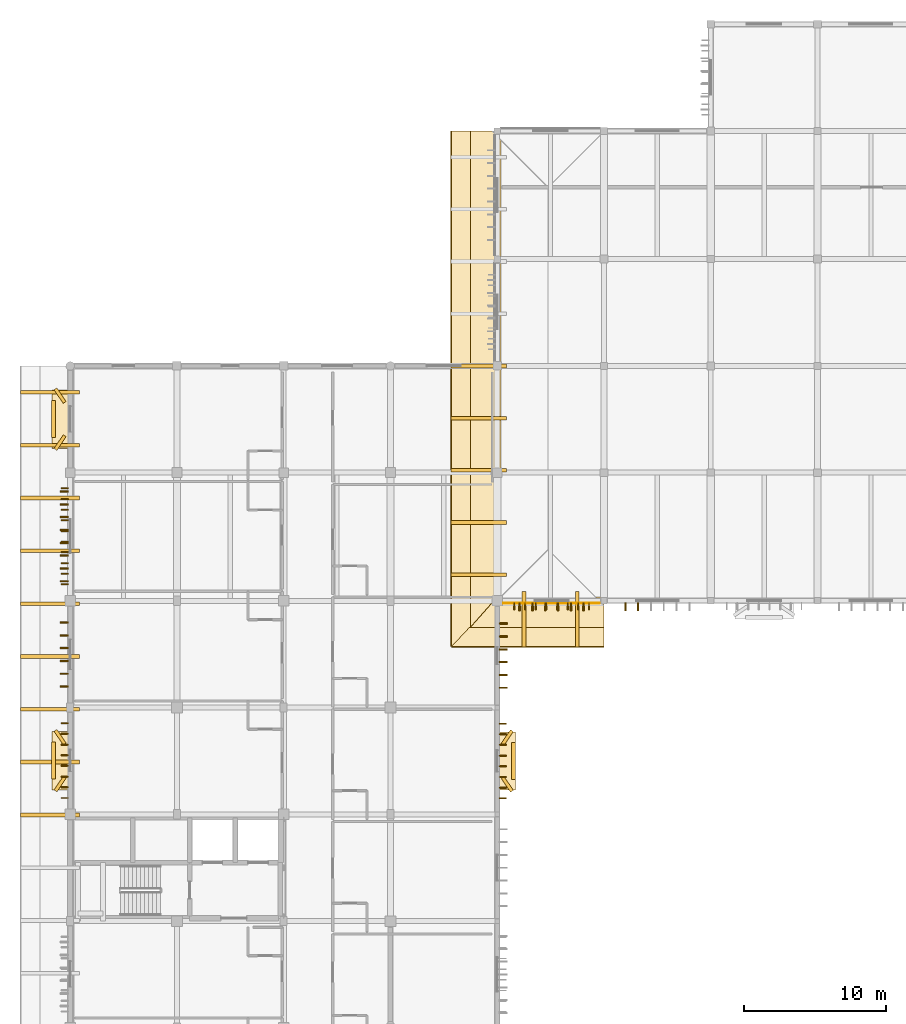
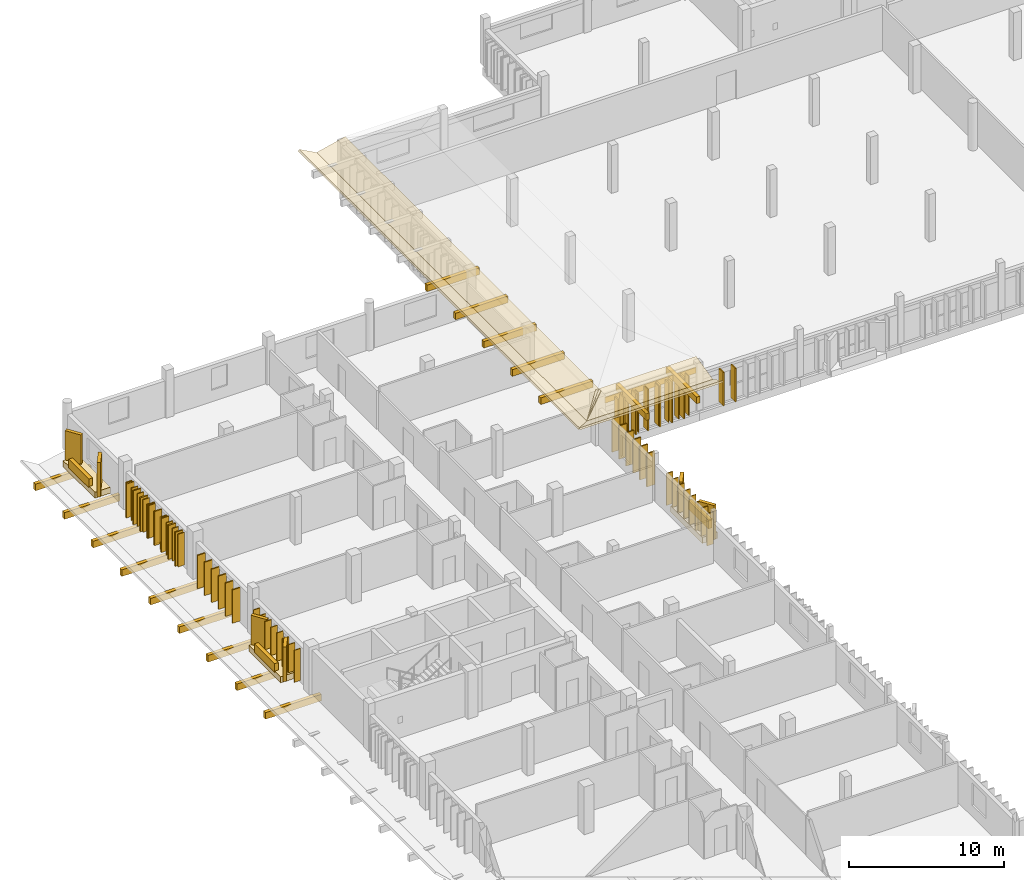
# One storey, part 35 of 43: 61 coverings, 34 shading devices.
"""IFC4 building model written with IfcOpenShell, lengths in metres."""

from ifc_helpers import new_model, si_unit, direction, frame, origin, origin_2d, place, context, subcontext, project, spatial, polyline, rectangle, outline, extrude, material, layer, layer_set, type_object, element, save


model = new_model("IFC4")

# Units and contexts
model_context = context("Model", 3, precision=1e-05, world=origin(), true_north=direction((0.0, 1.0)))
body_context = subcontext(model_context, "Body", "Model", "MODEL_VIEW")
ifc_project = project(units=[si_unit("LENGTHUNIT", "METRE"), si_unit("AREAUNIT", "SQUARE_METRE"), si_unit("VOLUMEUNIT", "CUBIC_METRE"), si_unit("PLANEANGLEUNIT", "RADIAN"), si_unit("MASSUNIT", "GRAM", prefix="KILO")], contexts=[model_context])

# Site, building, storey
site_placement = place(None, origin())
site = spatial("IfcSite", under=ifc_project, at=site_placement, CompositionType="ELEMENT")
building_placement = place(site_placement, origin())
building = spatial("IfcBuilding", under=site, at=building_placement, Name="Dalvernix Boulevard General Hospital", CompositionType="ELEMENT")
storey_placement = place(building_placement, frame((0.0, 0.0, 14.10009765625)))
storey = spatial("IfcBuildingStorey", under=building, at=storey_placement, Name="L03", CompositionType="ELEMENT", Elevation=14.10009765625)

# Coverings
ifc_material_1 = material(Name="Polychrome glazed Catalan trencadis ceramic faceted bay spandrel")
ifc_layer_1 = layer(ifc_material_1, 0.280029296875)
ifc_layer_set_1 = layer_set([ifc_layer_1], Name="Polychrome glazed Catalan trencadis ceramic faceted bay spandrel (COV-BAY-01)")
covering_type_1 = type_object("IfcCoveringType", Name="COV-BAY-01", PredefinedType="CLADDING", material=ifc_layer_set_1)
covering_1_placement = place(storey_placement, frame((-1.159912109375, 65.27490234375, 0.3798828125), z_axis=(0.0, 0.0, 1.0), x_axis=(0.0, 1.0, 0.0)))
element("IfcCovering", 1, at=covering_1_placement, inside=storey, type_object=covering_type_1, Name="L03 projecting faceted trencadis bay spandrel W 0-8", PredefinedType="CLADDING", context=body_context, shape_type="SweptSolid", body=[
    extrude(rectangle(XDim=2.60009765625, YDim=0.280029296875, at=origin_2d()), origin(), (0.0, 0.0, 1.0), 0.679931640625),
])
for number, where, z_axis, x_axis, name in (
    (2, (-0.7099609375, 63.625, 0.079833984375), (0.0, 0.0, 1.0), (0.559192903471, 0.829037572555, 0.0), "L03 projecting faceted Catalan bay cheek W 0-8-L"),
    (3, (-0.7099609375, 66.925048828125, 0.079833984375), (0.0, 0.0, 1.0), (-0.559192903471, 0.829037572555, 0.0), "L03 projecting faceted Catalan bay cheek W 0-8-R"),
):
    element("IfcCovering", number, at=place(storey_placement, frame(where, z_axis=z_axis, x_axis=x_axis)), inside=storey, type_object=covering_type_1, Name=name, PredefinedType="CLADDING", context=body_context, shape_type="SweptSolid", body=[
        extrude(rectangle(XDim=1.14990234375, YDim=0.239990234375, at=origin_2d()), origin(), (0.0, 0.0, 1.0), 2.7099609375),
    ])
covering_2_placement = place(storey_placement, frame((-1.159912109375, 89.262451171875, 0.3798828125), z_axis=(0.0, 0.0, 1.0), x_axis=(0.0, 1.0, 0.0)))
element("IfcCovering", 4, at=covering_2_placement, inside=storey, type_object=covering_type_1, Name="L03 projecting faceted trencadis bay spandrel W 0-11", PredefinedType="CLADDING", context=body_context, shape_type="SweptSolid", body=[
    extrude(rectangle(XDim=2.60009765625, YDim=0.280029296875, at=origin_2d()), origin(), (0.0, 0.0, 1.0), 0.679931640625),
])
for number, where, z_axis, x_axis, name in (
    (5, (-0.7099609375, 87.612548828125, 0.079833984375), (0.0, 0.0, 1.0), (0.559192903471, 0.829037572555, 0.0), "L03 projecting faceted Catalan bay cheek W 0-11-L"),
    (6, (-0.7099609375, 90.91259765625, 0.079833984375), (0.0, 0.0, 1.0), (-0.559192903471, 0.829037572555, 0.0), "L03 projecting faceted Catalan bay cheek W 0-11-R"),
):
    element("IfcCovering", number, at=place(storey_placement, frame(where, z_axis=z_axis, x_axis=x_axis)), inside=storey, type_object=covering_type_1, Name=name, PredefinedType="CLADDING", context=body_context, shape_type="SweptSolid", body=[
        extrude(rectangle(XDim=1.14990234375, YDim=0.239990234375, at=origin_2d()), origin(), (0.0, 0.0, 1.0), 2.7099609375),
    ])
covering_3_placement = place(storey_placement, frame((31.159912109375, 65.25, 0.3798828125), z_axis=(0.0, 0.0, 1.0), x_axis=(0.0, -1.0, 0.0)))
element("IfcCovering", 7, at=covering_3_placement, inside=storey, type_object=covering_type_1, Name="L03 projecting faceted trencadis bay spandrel E 4-8", PredefinedType="CLADDING", context=body_context, shape_type="SweptSolid", body=[
    extrude(rectangle(XDim=2.60009765625, YDim=0.280029296875, at=origin_2d()), origin(), (0.0, 0.0, 1.0), 0.679931640625),
])
for number, where, z_axis, x_axis, name in (
    (8, (30.7099609375, 66.89990234375, 0.079833984375), (0.0, 0.0, 1.0), (-0.559192903471, -0.829037572555, 0.0), "L03 projecting faceted Catalan bay cheek E 4-8-L"),
    (9, (30.7099609375, 63.60009765625, 0.079833984375), (0.0, 0.0, 1.0), (0.559192903471, -0.829037572555, 0.0), "L03 projecting faceted Catalan bay cheek E 4-8-R"),
):
    element("IfcCovering", number, at=place(storey_placement, frame(where, z_axis=z_axis, x_axis=x_axis)), inside=storey, type_object=covering_type_1, Name=name, PredefinedType="CLADDING", context=body_context, shape_type="SweptSolid", body=[
        extrude(rectangle(XDim=1.14990234375, YDim=0.239990234375, at=origin_2d()), origin(), (0.0, 0.0, 1.0), 2.7099609375),
    ])
ifc_material_2 = material(Name="Polychrome Catalan glazed ceramic spandrel tile panel")
ifc_layer_2 = layer(ifc_material_2, 0.044921875)
ifc_layer_set_2 = layer_set([ifc_layer_2], Name="Polychrome Catalan glazed ceramic spandrel tile panel (COV-CLD-01)")
covering_type_2 = type_object("IfcCoveringType", Name="COV-CLD-01", PredefinedType="CLADDING", material=ifc_layer_set_2)
covering_4_placement = place(storey_placement, frame((33.824951171875, 76.330078125, 2.9951171875), z_axis=(0.0, 0.0, 1.0), x_axis=(-1.0, 0.0, 0.0)))
element("IfcCovering", 10, at=covering_4_placement, inside=storey, type_object=covering_type_2, Name="L03 polychrome ceramic spandrel S 4-10", PredefinedType="CLADDING", context=body_context, shape_type="SweptSolid", body=[
    extrude(rectangle(XDim=6.780029296875, YDim=0.044921875, at=origin_2d()), origin(), (0.0, 0.0, 1.0), 0.449951171875),
])
ifc_material_3 = material(Name="Dressed ochre limestone classical plinth, stringcourse and corbelled cornice", Category="masonry")
ifc_layer_3 = layer(ifc_material_3, 0.449951171875)
ifc_layer_set_3 = layer_set([ifc_layer_3], Name="Dressed ochre limestone classical plinth, stringcourse and corbelled cornice (COV-CRN-01)")
covering_type_3 = type_object("IfcCoveringType", Name="COV-CRN-01", PredefinedType="CLADDING", material=ifc_layer_set_3)
for number, where, z_axis, x_axis, name in (
    (11, (-0.705078125, 65.27490234375, 0.0), (0.0, 0.0, 1.0), (0.0, 1.0, 0.0), "L03 projecting Catalan bay corbel base W 0-8"),
    (12, (-0.705078125, 89.262451171875, 0.0), (0.0, 0.0, 1.0), (0.0, 1.0, 0.0), "L03 projecting Catalan bay corbel base W 0-11"),
    (13, (30.705078125, 65.25, 0.0), (0.0, 0.0, 1.0), (0.0, -1.0, 0.0), "L03 projecting Catalan bay corbel base E 4-8"),
):
    element("IfcCovering", number, at=place(storey_placement, frame(where, z_axis=z_axis, x_axis=x_axis)), inside=storey, type_object=covering_type_3, Name=name, PredefinedType="CLADDING", context=body_context, shape_type="SweptSolid", body=[
        extrude(rectangle(XDim=4.10009765625, YDim=1.14990234375, at=origin_2d()), origin(), (0.0, 0.0, 1.0), 0.47998046875),
    ])
ifc_material_4 = material(Name="Glazed Catalan terracotta and iroko timber overhanging upturned eave", Category="masonry")
ifc_layer_4 = layer(ifc_material_4, 0.139892578125)
ifc_layer_set_4 = layer_set([ifc_layer_4], Name="Glazed Catalan terracotta and iroko timber overhanging upturned eave (COV-EAVE-01)")
covering_type_4 = type_object("IfcCoveringType", Name="COV-EAVE-01", PredefinedType="CLADDING", material=ifc_layer_set_4)
covering_5_placement = place(storey_placement, frame((30.25, 109.5, 3.955810546875), z_axis=(-0.230038471981, 0.0, 0.97318153569), x_axis=(0.0, -1.0, 0.0)))
element("IfcCovering", 14, at=covering_5_placement, inside=storey, type_object=covering_type_4, Name="V3-L03W overhanging ceramic eave skirt W", PredefinedType="CLADDING", context=body_context, shape_type="SweptSolid", body=[
    extrude(outline(polyline([(0.0, 0.0), (33.0, 0.0), (34.949951171875, -2.260576358258145), (0.0, -2.260576358258145), (0.0, 0.0)])), origin(), (0.0, 0.0, -1.0), 0.139892578125),
])
covering_6_placement = place(storey_placement, frame((28.1298828125, 109.5, 3.435791015625), z_axis=(0.476225941914, 0.0, 0.879322951053), x_axis=(0.0, -1.0, 0.0)))
element("IfcCovering", 15, at=covering_6_placement, inside=storey, type_object=covering_type_4, Name="V3-L03W upturned ceramic eave wing W", PredefinedType="CLADDING", context=body_context, shape_type="SweptSolid", body=[
    extrude(outline(polyline([(0.0, 0.0), (34.949951171875, 0.0), (36.199951171875, -1.5123385358961547), (0.0, -1.5123385358961547), (0.0, 0.0)])), origin(), (0.0, 0.0, -1.0), 0.139892578125),
])
covering_7_placement = place(storey_placement, frame((30.0, 76.75, 3.955810546875), z_axis=(0.0, -0.230038471981, 0.97318153569), x_axis=(1.0, 0.0, 0.0)))
element("IfcCovering", 16, at=covering_7_placement, inside=storey, type_object=covering_type_4, Name="V3-L03W overhanging ceramic eave skirt S", PredefinedType="CLADDING", context=body_context, shape_type="SweptSolid", body=[
    extrude(outline(polyline([(0.0, 0.0), (7.5, 0.0), (7.5, -2.2605763582581444), (-1.949951171875, -2.2605763582581444), (0.0, 0.0)])), origin(), (0.0, 0.0, -1.0), 0.139892578125),
])
covering_8_placement = place(storey_placement, frame((28.050048828125, 74.6298828125, 3.435791015625), z_axis=(0.0, 0.476225941914, 0.879322951053), x_axis=(1.0, 0.0, 0.0)))
element("IfcCovering", 17, at=covering_8_placement, inside=storey, type_object=covering_type_4, Name="V3-L03W upturned ceramic eave wing S", PredefinedType="CLADDING", context=body_context, shape_type="SweptSolid", body=[
    extrude(outline(polyline([(0.0, 0.0), (9.449951171875, 0.0), (9.449951171875, -1.5123385358961545), (-1.25, -1.5123385358961545), (0.0, 0.0)])), origin(), (0.0, 0.0, -1.0), 0.139892578125),
])
ifc_material_5 = material(Name="Terracotta-clad iroko timber brise-soleil sun-breaker fin", Category="masonry")
ifc_layer_5 = layer(ifc_material_5, 0.10009765625)
ifc_layer_set_5 = layer_set([ifc_layer_5], Name="Terracotta-clad iroko timber brise-soleil sun-breaker fin (COV-FIN-02)")
covering_type_5 = type_object("IfcCoveringType", Name="COV-FIN-02", PredefinedType="CLADDING", material=ifc_layer_set_5)
for number, where, z_axis, x_axis, name in (
    (18, (-0.419921875, 70.47509765625, 0.119873046875), (0.0, 0.0, 1.0), (0.0, 1.0, 0.0), "L03 terracotta brise-soleil fin W 0-9-1"),
    (19, (-0.419921875, 71.375, 0.119873046875), (0.0, 0.0, 1.0), (0.0, 1.0, 0.0), "L03 terracotta brise-soleil fin W 0-9-2"),
    (20, (-0.419921875, 72.27490234375, 0.119873046875), (0.0, 0.0, 1.0), (0.0, 1.0, 0.0), "L03 terracotta brise-soleil fin W 0-9-3"),
    (21, (-0.419921875, 73.175048828125, 0.119873046875), (0.0, 0.0, 1.0), (0.0, 1.0, 0.0), "L03 terracotta brise-soleil fin W 0-9-4"),
    (22, (-0.419921875, 74.074951171875, 0.119873046875), (0.0, 0.0, 1.0), (0.0, 1.0, 0.0), "L03 terracotta brise-soleil fin W 0-9-5"),
    (23, (-0.419921875, 74.97509765625, 0.119873046875), (0.0, 0.0, 1.0), (0.0, 1.0, 0.0), "L03 terracotta brise-soleil fin W 0-9-6"),
):
    element("IfcCovering", number, at=place(storey_placement, frame(where, z_axis=z_axis, x_axis=x_axis)), inside=storey, type_object=covering_type_5, Name=name, PredefinedType="CLADDING", context=body_context, shape_type="SweptSolid", body=[
        extrude(rectangle(XDim=0.10009765625, YDim=0.580078125, at=origin_2d()), origin(), (0.0, 0.0, 1.0), 2.6298828125),
    ])
for number, where, z_axis, x_axis, name in (
    (24, (-0.419921875, 77.875, 0.1201171875), (0.0, 0.0, 1.0), (0.0, 1.0, 0.0), "L03 terracotta brise-soleil fin W 0-10-1"),
    (25, (-0.419921875, 78.77490234375, 0.1201171875), (0.0, 0.0, 1.0), (0.0, 1.0, 0.0), "L03 terracotta brise-soleil fin W 0-10-2"),
    (26, (-0.419921875, 79.675048828125, 0.1201171875), (0.0, 0.0, 1.0), (0.0, 1.0, 0.0), "L03 terracotta brise-soleil fin W 0-10-3"),
    (27, (-0.419921875, 80.574951171875, 0.1201171875), (0.0, 0.0, 1.0), (0.0, 1.0, 0.0), "L03 terracotta brise-soleil fin W 0-10-4"),
    (28, (-0.419921875, 81.47509765625, 0.1201171875), (0.0, 0.0, 1.0), (0.0, 1.0, 0.0), "L03 terracotta brise-soleil fin W 0-10-5"),
    (29, (-0.419921875, 82.375, 0.1201171875), (0.0, 0.0, 1.0), (0.0, 1.0, 0.0), "L03 terracotta brise-soleil fin W 0-10-6"),
    (30, (-0.419921875, 83.27490234375, 0.1201171875), (0.0, 0.0, 1.0), (0.0, 1.0, 0.0), "L03 terracotta brise-soleil fin W 0-10-7"),
    (31, (-0.419921875, 84.175048828125, 0.1201171875), (0.0, 0.0, 1.0), (0.0, 1.0, 0.0), "L03 terracotta brise-soleil fin W 0-10-8"),
):
    element("IfcCovering", number, at=place(storey_placement, frame(where, z_axis=z_axis, x_axis=x_axis)), inside=storey, type_object=covering_type_5, Name=name, PredefinedType="CLADDING", context=body_context, shape_type="SweptSolid", body=[
        extrude(rectangle(XDim=0.10009765625, YDim=0.580078125, at=origin_2d()), origin(), (0.0, 0.0, 1.0), 2.679931640625),
    ])
for number, where, z_axis, x_axis, name in (
    (32, (30.419921875, 74.892578125, 0.119873046875), (0.0, 0.0, 1.0), (0.0, -1.0, 0.0), "L03 terracotta brise-soleil fin E 4-9-1"),
    (33, (30.419921875, 73.992431640625, 0.119873046875), (0.0, 0.0, 1.0), (0.0, -1.0, 0.0), "L03 terracotta brise-soleil fin E 4-9-2"),
    (34, (30.419921875, 73.092529296875, 0.119873046875), (0.0, 0.0, 1.0), (0.0, -1.0, 0.0), "L03 terracotta brise-soleil fin E 4-9-3"),
    (35, (30.419921875, 72.1923828125, 0.119873046875), (0.0, 0.0, 1.0), (0.0, -1.0, 0.0), "L03 terracotta brise-soleil fin E 4-9-4"),
    (36, (30.419921875, 71.29248046875, 0.119873046875), (0.0, 0.0, 1.0), (0.0, -1.0, 0.0), "L03 terracotta brise-soleil fin E 4-9-5"),
    (37, (30.419921875, 70.392578125, 0.119873046875), (0.0, 0.0, 1.0), (0.0, -1.0, 0.0), "L03 terracotta brise-soleil fin E 4-9-6"),
):
    element("IfcCovering", number, at=place(storey_placement, frame(where, z_axis=z_axis, x_axis=x_axis)), inside=storey, type_object=covering_type_5, Name=name, PredefinedType="CLADDING", context=body_context, shape_type="SweptSolid", body=[
        extrude(rectangle(XDim=0.10009765625, YDim=0.580078125, at=origin_2d()), origin(), (0.0, 0.0, 1.0), 2.6298828125),
    ])
for number, where, z_axis, x_axis, name in (
    (38, (36.074951171875, 76.080078125, 0.119873046875), (0.0, 0.0, 1.0), (-1.0, 0.0, 0.0), "L03 terracotta brise-soleil fin S 4-10-1"),
    (39, (35.175048828125, 76.080078125, 0.119873046875), (0.0, 0.0, 1.0), (-1.0, 0.0, 0.0), "L03 terracotta brise-soleil fin S 4-10-2"),
    (40, (34.27490234375, 76.080078125, 0.119873046875), (0.0, 0.0, 1.0), (-1.0, 0.0, 0.0), "L03 terracotta brise-soleil fin S 4-10-3"),
    (41, (33.375, 76.080078125, 0.119873046875), (0.0, 0.0, 1.0), (-1.0, 0.0, 0.0), "L03 terracotta brise-soleil fin S 4-10-4"),
    (42, (32.47509765625, 76.080078125, 0.119873046875), (0.0, 0.0, 1.0), (-1.0, 0.0, 0.0), "L03 terracotta brise-soleil fin S 4-10-5"),
    (43, (31.574951171875, 76.080078125, 0.119873046875), (0.0, 0.0, 1.0), (-1.0, 0.0, 0.0), "L03 terracotta brise-soleil fin S 4-10-6"),
):
    element("IfcCovering", number, at=place(storey_placement, frame(where, z_axis=z_axis, x_axis=x_axis)), inside=storey, type_object=covering_type_5, Name=name, PredefinedType="CLADDING", context=body_context, shape_type="SweptSolid", body=[
        extrude(rectangle(XDim=0.10009765625, YDim=0.580078125, at=origin_2d()), origin(), (0.0, 0.0, 1.0), 3.22998046875),
    ])
for number, where, z_axis, x_axis, name in (
    (44, (39.89990234375, 76.080078125, 0.119873046875), (0.0, 0.0, 1.0), (-1.0, 0.0, 0.0), "L03 terracotta brise-soleil fin S 5-10-5"),
    (45, (39.0, 76.080078125, 0.119873046875), (0.0, 0.0, 1.0), (-1.0, 0.0, 0.0), "L03 terracotta brise-soleil fin S 5-10-6"),
):
    element("IfcCovering", number, at=place(storey_placement, frame(where, z_axis=z_axis, x_axis=x_axis)), inside=storey, type_object=covering_type_5, Name=name, PredefinedType="CLADDING", context=body_context, shape_type="SweptSolid", body=[
        extrude(rectangle(XDim=0.10009765625, YDim=0.580078125, at=origin_2d()), origin(), (0.0, 0.0, 1.0), 2.6298828125),
    ])
ifc_material_6 = material(Name="Preservative-treated glulam GL28h eave outlooker corbel bracket", Category="wood")
ifc_layer_6 = layer(ifc_material_6, 0.239990234375)
ifc_layer_set_6 = layer_set([ifc_layer_6], Name="Preservative-treated glulam GL28h eave outlooker corbel bracket (COV-OUTLOOK-01)")
covering_type_6 = type_object("IfcCoveringType", Name="COV-OUTLOOK-01", PredefinedType="CLADDING", material=ifc_layer_set_6)
for number, where, z_axis, x_axis, name in (
    (46, (28.699951171875, 78.333251953125, 3.035888671875), (0.0, 0.0, 1.0), (1.0, 0.0, 0.0), "V3-L03W glulam eave outlooker corbel W-1"),
    (47, (28.699951171875, 82.0, 3.035888671875), (0.0, 0.0, 1.0), (1.0, 0.0, 0.0), "V3-L03W glulam eave outlooker corbel W-2"),
    (48, (28.699951171875, 85.666748046875, 3.035888671875), (0.0, 0.0, 1.0), (1.0, 0.0, 0.0), "V3-L03W glulam eave outlooker corbel W-3"),
    (49, (28.699951171875, 89.333251953125, 3.035888671875), (0.0, 0.0, 1.0), (1.0, 0.0, 0.0), "V3-L03W glulam eave outlooker corbel W-4"),
    (50, (28.699951171875, 93.0, 3.035888671875), (0.0, 0.0, 1.0), (1.0, 0.0, 0.0), "V3-L03W glulam eave outlooker corbel W-5"),
):
    element("IfcCovering", number, at=place(storey_placement, frame(where, z_axis=z_axis, x_axis=x_axis)), inside=storey, type_object=covering_type_6, Name=name, PredefinedType="CLADDING", context=body_context, shape_type="SweptSolid", body=[
        extrude(rectangle(XDim=3.89990234375, YDim=0.260009765625, at=origin_2d()), origin(), (0.0, 0.0, 1.0), 0.52001953125),
    ])
for number, where, z_axis, x_axis, name in (
    (51, (31.875, 75.199951171875, 3.035888671875), (0.0, 0.0, 1.0), (1.0, 0.0, 0.0), "V3-L03W glulam eave outlooker corbel S-1"),
    (52, (35.625, 75.199951171875, 3.035888671875), (0.0, 0.0, 1.0), (1.0, 0.0, 0.0), "V3-L03W glulam eave outlooker corbel S-2"),
):
    element("IfcCovering", number, at=place(storey_placement, frame(where, z_axis=z_axis, x_axis=x_axis)), inside=storey, type_object=covering_type_6, Name=name, PredefinedType="CLADDING", context=body_context, shape_type="SweptSolid", body=[
        extrude(rectangle(XDim=0.260009765625, YDim=3.89990234375, at=origin_2d()), origin(), (0.0, 0.0, 1.0), 0.52001953125),
    ])
for number, where, z_axis, x_axis, name in (
    (53, (-1.425048828125, 61.46044921875, -0.940185546875), (0.0, 0.0, 1.0), (1.0, 0.0, 0.0), "TIER-V4-WEST glulam eave outlooker corbel W-11"),
    (54, (-1.425048828125, 65.171142578125, -0.940185546875), (0.0, 0.0, 1.0), (1.0, 0.0, 0.0), "TIER-V4-WEST glulam eave outlooker corbel W-12"),
    (55, (-1.425048828125, 68.881591796875, -0.940185546875), (0.0, 0.0, 1.0), (1.0, 0.0, 0.0), "TIER-V4-WEST glulam eave outlooker corbel W-13"),
    (56, (-1.425048828125, 72.592041015625, -0.940185546875), (0.0, 0.0, 1.0), (1.0, 0.0, 0.0), "TIER-V4-WEST glulam eave outlooker corbel W-14"),
    (57, (-1.425048828125, 76.302490234375, -0.940185546875), (0.0, 0.0, 1.0), (1.0, 0.0, 0.0), "TIER-V4-WEST glulam eave outlooker corbel W-15"),
    (58, (-1.425048828125, 80.01318359375, -0.940185546875), (0.0, 0.0, 1.0), (1.0, 0.0, 0.0), "TIER-V4-WEST glulam eave outlooker corbel W-16"),
    (59, (-1.425048828125, 83.7236328125, -0.940185546875), (0.0, 0.0, 1.0), (1.0, 0.0, 0.0), "TIER-V4-WEST glulam eave outlooker corbel W-17"),
    (60, (-1.425048828125, 87.43408203125, -0.940185546875), (0.0, 0.0, 1.0), (1.0, 0.0, 0.0), "TIER-V4-WEST glulam eave outlooker corbel W-18"),
    (61, (-1.425048828125, 91.144775390625, -0.940185546875), (0.0, 0.0, 1.0), (1.0, 0.0, 0.0), "TIER-V4-WEST glulam eave outlooker corbel W-19"),
):
    element("IfcCovering", number, at=place(storey_placement, frame(where, z_axis=z_axis, x_axis=x_axis)), inside=storey, type_object=covering_type_6, Name=name, PredefinedType="CLADDING", context=body_context, shape_type="SweptSolid", body=[
        extrude(rectangle(XDim=4.14990234375, YDim=0.260009765625, at=origin_2d()), origin(), (0.0, 0.0, 1.0), 0.52001953125),
    ])

# Shading devices
ifc_material_7 = material(Name="Preservative-treated West African iroko timber", Category="wood")
shading_device_type = type_object("IfcShadingDeviceType", Name="SHD-FIN-01", PredefinedType="USERDEFINED", material=ifc_material_7)
for number, where, z_axis, x_axis, name in (
    (62, (-0.3798828125, 62.64990234375, 0.1748046875), (0.0, 0.0, 1.0), (0.0, 1.0, 0.0), "L03 iroko brise-soleil fin 1"),
    (63, (-0.3798828125, 63.39990234375, 0.1748046875), (0.0, 0.0, 1.0), (0.0, 1.0, 0.0), "L03 iroko brise-soleil fin 2"),
    (64, (-0.3798828125, 64.14990234375, 0.1748046875), (0.0, 0.0, 1.0), (0.0, 1.0, 0.0), "L03 iroko brise-soleil fin 3"),
    (65, (-0.3798828125, 64.89990234375, 0.1748046875), (0.0, 0.0, 1.0), (0.0, 1.0, 0.0), "L03 iroko brise-soleil fin 4"),
    (66, (-0.3798828125, 65.64990234375, 0.1748046875), (0.0, 0.0, 1.0), (0.0, 1.0, 0.0), "L03 iroko brise-soleil fin 5"),
    (67, (-0.3798828125, 66.39990234375, 0.1748046875), (0.0, 0.0, 1.0), (0.0, 1.0, 0.0), "L03 iroko brise-soleil fin 6"),
    (68, (-0.3798828125, 67.14990234375, 0.1748046875), (0.0, 0.0, 1.0), (0.0, 1.0, 0.0), "L03 iroko brise-soleil fin 7"),
    (69, (-0.3798828125, 67.89990234375, 0.1748046875), (0.0, 0.0, 1.0), (0.0, 1.0, 0.0), "L03 iroko brise-soleil fin 8"),
):
    element("IfcShadingDevice", number, at=place(storey_placement, frame(where, z_axis=z_axis, x_axis=x_axis)), inside=storey, type_object=shading_device_type, Name=name, ObjectType="FIN", PredefinedType="USERDEFINED", context=body_context, shape_type="SweptSolid", body=[
        extrude(rectangle(XDim=0.06494140625, YDim=0.47998046875, at=origin_2d()), origin(), (0.0, 0.0, 1.0), 2.52001953125),
    ])
for number, where, z_axis, x_axis, name in (
    (70, (-0.3798828125, 77.64990234375, 0.1748046875), (0.0, 0.0, 1.0), (0.0, 1.0, 0.0), "L03 iroko brise-soleil fin 1"),
    (71, (-0.3798828125, 78.39990234375, 0.1748046875), (0.0, 0.0, 1.0), (0.0, 1.0, 0.0), "L03 iroko brise-soleil fin 2"),
    (72, (-0.3798828125, 79.14990234375, 0.1748046875), (0.0, 0.0, 1.0), (0.0, 1.0, 0.0), "L03 iroko brise-soleil fin 3"),
    (73, (-0.3798828125, 79.89990234375, 0.1748046875), (0.0, 0.0, 1.0), (0.0, 1.0, 0.0), "L03 iroko brise-soleil fin 4"),
    (74, (-0.3798828125, 80.64990234375, 0.1748046875), (0.0, 0.0, 1.0), (0.0, 1.0, 0.0), "L03 iroko brise-soleil fin 5"),
    (75, (-0.3798828125, 81.39990234375, 0.1748046875), (0.0, 0.0, 1.0), (0.0, 1.0, 0.0), "L03 iroko brise-soleil fin 6"),
    (76, (-0.3798828125, 82.14990234375, 0.1748046875), (0.0, 0.0, 1.0), (0.0, 1.0, 0.0), "L03 iroko brise-soleil fin 7"),
    (77, (-0.3798828125, 82.89990234375, 0.1748046875), (0.0, 0.0, 1.0), (0.0, 1.0, 0.0), "L03 iroko brise-soleil fin 8"),
    (78, (-0.3798828125, 83.64990234375, 0.1748046875), (0.0, 0.0, 1.0), (0.0, 1.0, 0.0), "L03 iroko brise-soleil fin 9"),
    (79, (-0.3798828125, 84.39990234375, 0.1748046875), (0.0, 0.0, 1.0), (0.0, 1.0, 0.0), "L03 iroko brise-soleil fin 10"),
):
    element("IfcShadingDevice", number, at=place(storey_placement, frame(where, z_axis=z_axis, x_axis=x_axis)), inside=storey, type_object=shading_device_type, Name=name, ObjectType="FIN", PredefinedType="USERDEFINED", context=body_context, shape_type="SweptSolid", body=[
        extrude(rectangle(XDim=0.06494140625, YDim=0.47998046875, at=origin_2d()), origin(), (0.0, 0.0, 1.0), 2.570068359375),
    ])
for number, where, z_axis, x_axis, name in (
    (80, (30.3798828125, 67.875, 0.1748046875), (0.0, 0.0, 1.0), (0.0, -1.0, 0.0), "L03 iroko brise-soleil fin 1"),
    (81, (30.3798828125, 67.125, 0.1748046875), (0.0, 0.0, 1.0), (0.0, -1.0, 0.0), "L03 iroko brise-soleil fin 2"),
    (82, (30.3798828125, 66.375, 0.1748046875), (0.0, 0.0, 1.0), (0.0, -1.0, 0.0), "L03 iroko brise-soleil fin 3"),
    (83, (30.3798828125, 65.625, 0.1748046875), (0.0, 0.0, 1.0), (0.0, -1.0, 0.0), "L03 iroko brise-soleil fin 4"),
    (84, (30.3798828125, 64.875, 0.1748046875), (0.0, 0.0, 1.0), (0.0, -1.0, 0.0), "L03 iroko brise-soleil fin 5"),
    (85, (30.3798828125, 64.125, 0.1748046875), (0.0, 0.0, 1.0), (0.0, -1.0, 0.0), "L03 iroko brise-soleil fin 6"),
    (86, (30.3798828125, 63.375, 0.1748046875), (0.0, 0.0, 1.0), (0.0, -1.0, 0.0), "L03 iroko brise-soleil fin 7"),
    (87, (30.3798828125, 62.625, 0.1748046875), (0.0, 0.0, 1.0), (0.0, -1.0, 0.0), "L03 iroko brise-soleil fin 8"),
):
    element("IfcShadingDevice", number, at=place(storey_placement, frame(where, z_axis=z_axis, x_axis=x_axis)), inside=storey, type_object=shading_device_type, Name=name, ObjectType="FIN", PredefinedType="USERDEFINED", context=body_context, shape_type="SweptSolid", body=[
        extrude(rectangle(XDim=0.06494140625, YDim=0.47998046875, at=origin_2d()), origin(), (0.0, 0.0, 1.0), 2.52001953125),
    ])
for number, where, z_axis, x_axis, name in (
    (88, (36.449951171875, 76.1201171875, 0.1748046875), (0.0, 0.0, 1.0), (-1.0, 0.0, 0.0), "L03 iroko brise-soleil fin 1"),
    (89, (35.699951171875, 76.1201171875, 0.1748046875), (0.0, 0.0, 1.0), (-1.0, 0.0, 0.0), "L03 iroko brise-soleil fin 2"),
    (90, (34.949951171875, 76.1201171875, 0.1748046875), (0.0, 0.0, 1.0), (-1.0, 0.0, 0.0), "L03 iroko brise-soleil fin 3"),
    (91, (34.199951171875, 76.1201171875, 0.1748046875), (0.0, 0.0, 1.0), (-1.0, 0.0, 0.0), "L03 iroko brise-soleil fin 4"),
    (92, (33.449951171875, 76.1201171875, 0.1748046875), (0.0, 0.0, 1.0), (-1.0, 0.0, 0.0), "L03 iroko brise-soleil fin 5"),
    (93, (32.699951171875, 76.1201171875, 0.1748046875), (0.0, 0.0, 1.0), (-1.0, 0.0, 0.0), "L03 iroko brise-soleil fin 6"),
    (94, (31.949951171875, 76.1201171875, 0.1748046875), (0.0, 0.0, 1.0), (-1.0, 0.0, 0.0), "L03 iroko brise-soleil fin 7"),
    (95, (31.199951171875, 76.1201171875, 0.1748046875), (0.0, 0.0, 1.0), (-1.0, 0.0, 0.0), "L03 iroko brise-soleil fin 8"),
):
    element("IfcShadingDevice", number, at=place(storey_placement, frame(where, z_axis=z_axis, x_axis=x_axis)), inside=storey, type_object=shading_device_type, Name=name, ObjectType="FIN", PredefinedType="USERDEFINED", context=body_context, shape_type="SweptSolid", body=[
        extrude(rectangle(XDim=0.06494140625, YDim=0.47998046875, at=origin_2d()), origin(), (0.0, 0.0, 1.0), 3.1201171875),
    ])

save(model, "model.ifc")
